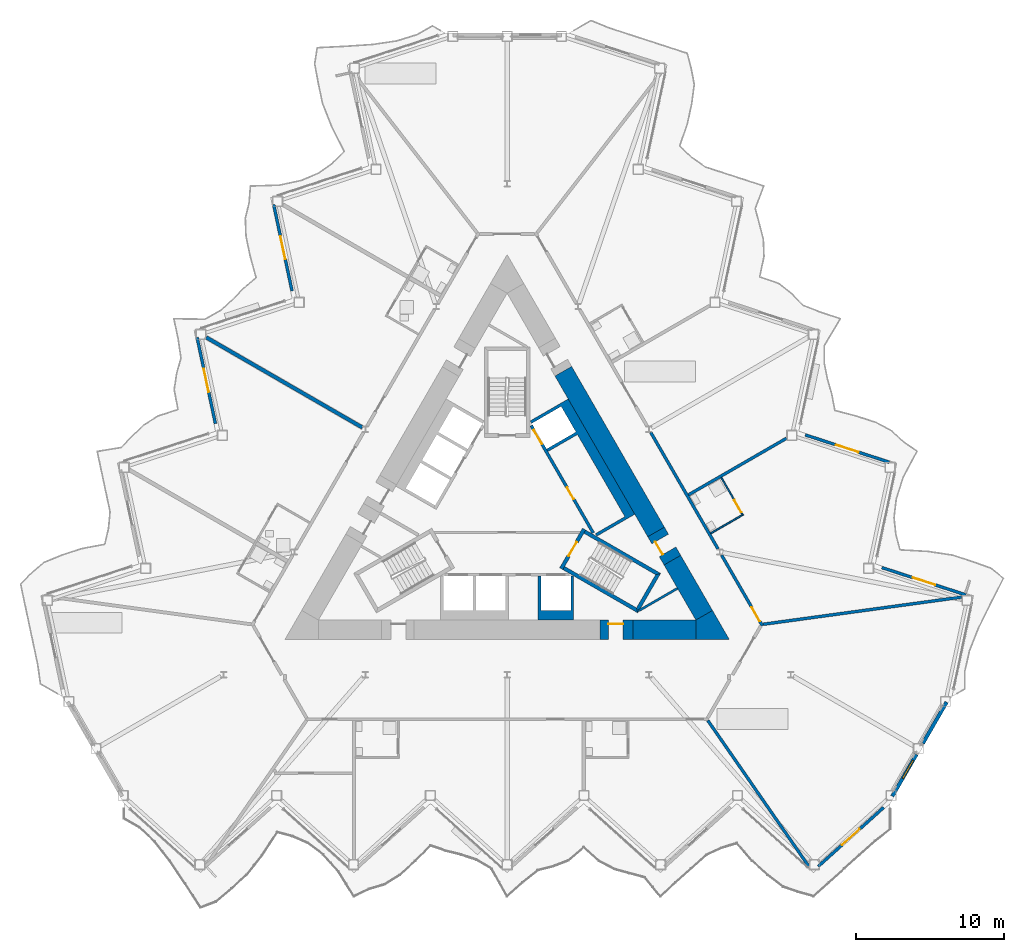
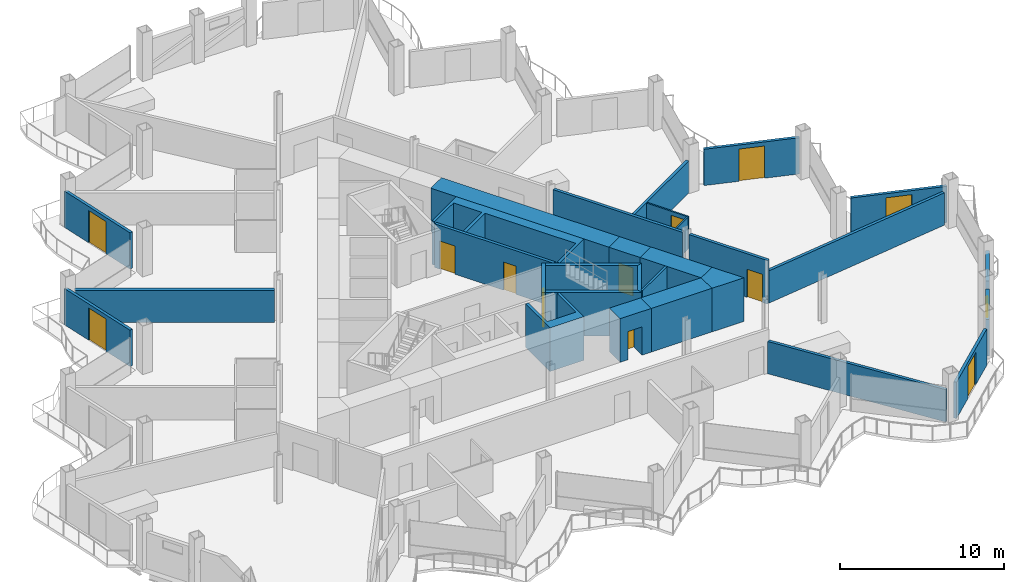
# One storey, part 13 of 23: 29 walls, 12 doors, 1 window, 13 openings.
"""IFC4 building model written with IfcOpenShell, lengths in metres."""

from ifc_helpers import new_model, si_unit, direction, frame, frame_2d, origin, place, context, subcontext, project, spatial, polyline, rectangle, outline, extrude, material, layer, layer_set, type_object, element, fill, save


model = new_model("IFC4")

# Units and contexts
model_context = context("Model", 3, precision=1e-05, world=origin(), true_north=direction((0.0, 1.0)))
body_context = subcontext(model_context, "Body", "Model", "MODEL_VIEW")
ifc_project = project(units=[si_unit("LENGTHUNIT", "METRE"), si_unit("AREAUNIT", "SQUARE_METRE"), si_unit("VOLUMEUNIT", "CUBIC_METRE"), si_unit("PLANEANGLEUNIT", "RADIAN"), si_unit("MASSUNIT", "GRAM", prefix="KILO")], contexts=[model_context])

# Site, building, storey
site_placement = place(None, origin())
site = spatial("IfcSite", under=ifc_project, at=site_placement, CompositionType="ELEMENT")
building_placement = place(site_placement, origin())
building = spatial("IfcBuilding", under=site, at=building_placement, Name="Cormorant Prow Tower", CompositionType="ELEMENT")
storey_placement = place(building_placement, frame((0.0, 0.0, 249.0)))
storey = spatial("IfcBuildingStorey", under=building, at=storey_placement, Name="L55", CompositionType="ELEMENT", Elevation=249.0)

# Walls
ifc_material_1 = material(Name="Gypsum board partition")
ifc_layer_1 = layer(ifc_material_1, 0.14990234375)
ifc_layer_set_1 = layer_set([ifc_layer_1], Name="Gypsum board partition")
wall_type_1 = type_object("IfcWallType", Name="Core partition 150", PredefinedType="PARTITIONING", material=ifc_layer_set_1)
wall_1_placement = place(storey_placement, frame((11.511474609375, -5.2177734375, 0.0), z_axis=(0.0, 0.0, 1.0), x_axis=(-0.866045649925, -0.499964931016, 0.0)))
element("IfcWall", 1, at=wall_1_placement, inside=storey, type_object=wall_type_1, Name="Service room partition", PredefinedType="PARTITIONING", context=body_context, shape_type="SweptSolid", body=[
    extrude(rectangle(XDim=2.992431640625, YDim=0.14990234375, at=frame_2d((1.49609375, 0.0))), origin(), (0.0, 0.0, 1.0), 3.25),
])
ifc_material_2 = material(Name="Concrete 8000 psi", Category="concrete")
ifc_layer_2 = layer(ifc_material_2, 1.300048828125)
ifc_layer_set_2 = layer_set([ifc_layer_2], Name="Concrete 8000 psi")
wall_type_2 = type_object("IfcWallType", Name="Core shear wall 1300", PredefinedType="SHEAR", material=ifc_layer_set_2)
wall_2_placement = place(storey_placement, frame((8.48828125, -8.01025390625, 0.0), z_axis=(0.0, 0.0, 1.0), x_axis=(1.0, 0.0, 0.0)))
element("IfcWall", 2, at=wall_2_placement, inside=storey, type_object=wall_type_2, Name="Core wall", PredefinedType="SHEAR", context=body_context, shape_type="SweptSolid", body=[
    extrude(rectangle(XDim=4.260009765625, YDim=1.300048828125, at=frame_2d((2.1298828125, 0.0))), origin(), (0.0, 0.0, 1.0), 3.25),
])
wall_3_placement = place(storey_placement, frame((10.0625, -1.408203125, 0.0), z_axis=(0.0, 0.0, 1.0), x_axis=(-0.500000545805, 0.866025088663, 0.0)))
element("IfcWall", 3, at=wall_3_placement, inside=storey, type_object=wall_type_2, Name="Core wall", PredefinedType="SHEAR", context=body_context, shape_type="SweptSolid", body=[
    extrude(rectangle(XDim=12.5390625, YDim=1.300048828125, at=frame_2d((6.26953125, 0.0))), origin(), (0.0, 0.0, 1.0), 3.25),
])
wall_4_placement = place(storey_placement, frame((13.311279296875, -7.035400390625, 0.0), z_axis=(0.0, 0.0, 1.0), x_axis=(-0.500012574659, 0.86601814368, 0.0)))
element("IfcWall", 4, at=wall_4_placement, inside=storey, type_object=wall_type_2, Name="Core wall", PredefinedType="SHEAR", context=body_context, shape_type="SweptSolid", body=[
    extrude(rectangle(XDim=4.2978515625, YDim=1.300048828125, at=frame_2d((2.14892578125, 0.0))), origin(), (0.0, 0.0, 1.0), 3.25),
])
wall_5_placement = place(storey_placement, origin())
element("IfcWall", 5, at=wall_5_placement, inside=storey, type_object=wall_type_2, Name="Core wall corner", PredefinedType="SHEAR", context=body_context, shape_type="SweptSolid", body=[
    extrude(outline(polyline([(12.748291015625, -8.660400390625), (12.748291015625, -7.3603515625), (13.874267578125, -6.710205078125), (15.0, -8.660400390625), (12.748291015625, -8.660400390625)])), origin(), (0.0, 0.0, 1.0), 3.25),
])

# Wall, opening, door
wall_6_placement = place(storey_placement, frame((6.2880859375, -8.01025390625, 0.0), z_axis=(0.0, 0.0, 1.0), x_axis=(1.0, 0.0, 0.0)))
wall_6 = element("IfcWall", 6, at=wall_6_placement, inside=storey, type_object=wall_type_2, Name="Core wall door panel", PredefinedType="SHEAR", context=body_context, shape_type="SweptSolid", body=[
    extrude(rectangle(XDim=2.2001953125, YDim=1.300048828125, at=frame_2d((1.10009765625, 0.0))), origin(), (0.0, 0.0, 1.0), 3.25),
])
opening_1_placement = place(wall_6_placement, frame((0.550048828125, 0.0, 0.0)))
opening_1 = element("IfcOpeningElement", 7, at=opening_1_placement, cuts=wall_6, Name="Opening L55-C13", PredefinedType="OPENING", context=body_context, shape_type="SweptSolid", body=[
    extrude(rectangle(XDim=1.0, YDim=2.10009765625, at=frame_2d((0.5, 1.050048828125))), frame((0.0, 0.659912109375, 0.0), z_axis=(0.0, -1.0, 0.0), x_axis=(1.0, 0.0, 0.0)), (0.0, 0.0, 1.0), 1.320068359375),
])
ifc_material_3 = material(Name="Painted steel", Category="steel")
door_type_1 = type_object("IfcDoorType", Name="Service door 1000x2100", OperationType="NOTDEFINED", PredefinedType="DOOR", material=ifc_material_3)
door_1_placement = place(opening_1_placement, origin())
door_1 = element("IfcDoor", 8, at=door_1_placement, inside=storey, type_object=door_type_1, Name="Core door, Telecom room", OperationType="SINGLE_SWING_RIGHT", OverallHeight=2.10009765625, OverallWidth=1.0, PredefinedType="DOOR", context=body_context, shape_type="SweptSolid", body=[
    extrude(rectangle(XDim=1.0, YDim=2.10009765625, at=frame_2d((0.5, 1.050048828125))), frame((0.0, 0.40478515625, 0.0), z_axis=(0.0, -1.0, 0.0), x_axis=(1.0, 0.0, 0.0)), (0.0, 0.0, 1.0), 0.050048828125),
])
fill(opening_1, door_1)

wall_7_placement = place(storey_placement, frame((11.16259765625, -3.3134765625, 0.0), z_axis=(0.0, 0.0, 1.0), x_axis=(-0.50002983664, 0.866008176907, 0.0)))
wall_7 = element("IfcWall", 9, at=wall_7_placement, inside=storey, type_object=wall_type_2, Name="Core wall door panel", PredefinedType="SHEAR", context=body_context, shape_type="SweptSolid", body=[
    extrude(rectangle(XDim=2.199951171875, YDim=1.300048828125, at=frame_2d((1.10009765625, 0.0))), origin(), (0.0, 0.0, 1.0), 3.25),
])
opening_2_placement = place(wall_7_placement, frame((0.64990234375, 0.0, 0.0)))
opening_2 = element("IfcOpeningElement", 10, at=opening_2_placement, cuts=wall_7, Name="Opening L55-C15", PredefinedType="OPENING", context=body_context, shape_type="SweptSolid", body=[
    extrude(rectangle(XDim=1.0, YDim=2.10009765625, at=frame_2d((0.5, 1.050048828125))), frame((0.0, 0.659912109375, 0.0), z_axis=(0.0, -1.0, 0.0), x_axis=(1.0, 0.0, 0.0)), (0.0, 0.0, 1.0), 1.320068359375),
])
door_2_placement = place(opening_2_placement, origin())
door_2 = element("IfcDoor", 11, at=door_2_placement, inside=storey, type_object=door_type_1, Name="Core door, Electrical room", OperationType="SINGLE_SWING_LEFT", OverallHeight=2.10009765625, OverallWidth=1.0, PredefinedType="DOOR", context=body_context, shape_type="SweptSolid", body=[
    extrude(rectangle(XDim=1.0, YDim=2.10009765625, at=frame_2d((0.5, 1.050048828125))), frame((0.0, 0.40478515625, 0.0), z_axis=(0.0, -1.0, 0.0), x_axis=(1.0, 0.0, 0.0)), (0.0, 0.0, 1.0), 0.050048828125),
])
fill(opening_2, door_2)

# Wall
ifc_material_4 = material(Name="Gypsum board corridor wall")
ifc_layer_3 = layer(ifc_material_4, 0.199951171875)
ifc_layer_set_3 = layer_set([ifc_layer_3], Name="Gypsum board corridor wall")
wall_type_3 = type_object("IfcWallType", Name="Corridor wall 200", PredefinedType="PARTITIONING", material=ifc_layer_set_3)
wall_8_placement = place(storey_placement, frame((9.699462890625, 5.320556640625, 0.0), z_axis=(0.0, 0.0, 1.0), x_axis=(0.49998193945, -0.866035830797, 0.0)))
element("IfcWall", 12, at=wall_8_placement, inside=storey, type_object=wall_type_3, Name="Corridor wall", PredefinedType="PARTITIONING", context=body_context, shape_type="SweptSolid", body=[
    extrude(rectangle(XDim=9.094482421875, YDim=0.199951171875, at=frame_2d((4.54736328125, 0.0))), origin(), (0.0, 0.0, 1.0), 3.25),
])

# Wall, opening, door
wall_9_placement = place(storey_placement, frame((14.488525390625, -2.974609375, 0.0), z_axis=(0.0, 0.0, 1.0), x_axis=(0.500017753321, -0.866015153657, 0.0)))
wall_9 = element("IfcWall", 13, at=wall_9_placement, inside=storey, type_object=wall_type_3, Name="Corridor wall", PredefinedType="PARTITIONING", context=body_context, shape_type="SweptSolid", body=[
    extrude(rectangle(XDim=5.510498046875, YDim=0.199951171875, at=frame_2d((2.75537109375, 0.0))), origin(), (0.0, 0.0, 1.0), 3.25),
])
opening_3_placement = place(wall_9_placement, frame((4.060302734375, 0.0, 0.0)))
opening_3 = element("IfcOpeningElement", 14, at=opening_3_placement, cuts=wall_9, Name="Opening L55-F08", PredefinedType="OPENING", context=body_context, shape_type="SweptSolid", body=[
    extrude(rectangle(XDim=1.10009765625, YDim=2.10009765625, at=frame_2d((0.550048828125, 1.050048828125))), frame((0.0, 0.10986328125, 0.0), z_axis=(0.0, -1.0, 0.0), x_axis=(1.0, 0.0, 0.0)), (0.0, 0.0, 1.0), 0.219970703125),
])
ifc_material_5 = material(Name="Timber door leaf", Category="wood")
door_type_2 = type_object("IfcDoorType", Name="Suite entrance door 1100x2100", OperationType="NOTDEFINED", PredefinedType="DOOR", material=ifc_material_5)
door_3_placement = place(opening_3_placement, origin())
door_3 = element("IfcDoor", 15, at=door_3_placement, inside=storey, type_object=door_type_2, Name="Executive suite bedroom door", OperationType="SINGLE_SWING_RIGHT", OverallHeight=2.10009765625, OverallWidth=1.10009765625, PredefinedType="DOOR", context=body_context, shape_type="SweptSolid", body=[
    extrude(rectangle(XDim=1.10009765625, YDim=2.10009765625, at=frame_2d((0.550048828125, 1.050048828125))), frame((0.0, 0.02490234375, 0.0), z_axis=(0.0, -1.0, 0.0), x_axis=(1.0, 0.0, 0.0)), (0.0, 0.0, 1.0), 0.050048828125),
])
fill(opening_3, door_3)

# Walls
ifc_material_6 = material(Name="Gypsum board demising wall")
ifc_layer_4 = layer(ifc_material_6, 0.199951171875)
ifc_layer_set_4 = layer_set([ifc_layer_4], Name="Gypsum board demising wall")
wall_type_4 = type_object("IfcWallType", Name="Demising wall 200", PredefinedType="PARTITIONING", material=ifc_layer_set_4)
wall_10_placement = place(storey_placement, frame((17.29296875, -7.646484375, 0.0), z_axis=(0.0, 0.0, 1.0), x_axis=(0.99075075074, 0.135694325259, 0.0)))
element("IfcWall", 16, at=wall_10_placement, inside=storey, type_object=wall_type_4, Name="Demising wall", PredefinedType="PARTITIONING", context=body_context, shape_type="SweptSolid", body=[
    extrude(rectangle(XDim=13.535400390625, YDim=0.199951171875, at=frame_2d((6.767578125, 0.0))), origin(), (0.0, 0.0, 1.0), 2.404296875),
])
wall_11_placement = place(storey_placement, frame((13.5556640625, -14.142578125, 0.0), z_axis=(0.0, 0.0, 1.0), x_axis=(0.56913494803, -0.82224413098, 0.0)))
element("IfcWall", 17, at=wall_11_placement, inside=storey, type_object=wall_type_4, Name="Demising wall", PredefinedType="PARTITIONING", context=body_context, shape_type="SweptSolid", body=[
    extrude(rectangle(XDim=12.013671875, YDim=0.199951171875, at=frame_2d((6.0068359375, 0.0))), origin(), (0.0, 0.0, 1.0), 2.404296875),
])
wall_12_placement = place(storey_placement, frame((12.2529296875, 1.097900390625, 0.0), z_axis=(0.0, 0.0, 1.0), x_axis=(0.866026077102, 0.499998833779, 0.0)))
element("IfcWall", 18, at=wall_12_placement, inside=storey, type_object=wall_type_4, Name="Demising wall", PredefinedType="PARTITIONING", context=body_context, shape_type="SweptSolid", body=[
    extrude(rectangle(XDim=7.646484375, YDim=0.199951171875, at=frame_2d((3.8232421875, 0.0))), origin(), (0.0, 0.0, 1.0), 2.404296875),
])

# Wall, opening, door
ifc_material_7 = material(Name="Gypsum board partition")
ifc_layer_5 = layer(ifc_material_7, 0.10009765625)
ifc_layer_set_5 = layer_set([ifc_layer_5], Name="Gypsum board partition")
wall_type_5 = type_object("IfcWallType", Name="Internal partition 100", PredefinedType="PARTITIONING", material=ifc_layer_set_5)
wall_13_placement = place(storey_placement, frame((14.468017578125, 2.26123046875, 0.0), z_axis=(0.0, 0.0, 1.0), x_axis=(0.500037662692, -0.866003658127, 0.0)))
wall_13 = element("IfcWall", 19, at=wall_13_placement, inside=storey, type_object=wall_type_5, Name="Internal partition", PredefinedType="PARTITIONING", context=body_context, shape_type="SweptSolid", body=[
    extrude(rectangle(XDim=2.949951171875, YDim=0.10009765625, at=frame_2d((1.47509765625, 0.0))), origin(), (0.0, 0.0, 1.0), 2.404296875),
])
opening_4_placement = place(wall_13_placement, frame((1.75, 0.0, 0.0)))
opening_4 = element("IfcOpeningElement", 20, at=opening_4_placement, cuts=wall_13, Name="Opening L55-F09", PredefinedType="OPENING", context=body_context, shape_type="SweptSolid", body=[
    extrude(rectangle(XDim=0.949951171875, YDim=2.10009765625, at=frame_2d((0.47509765625, 1.050048828125))), frame((0.0, 0.06005859375, 0.0), z_axis=(0.0, -1.0, 0.0), x_axis=(1.0, 0.0, 0.0)), (0.0, 0.0, 1.0), 0.1201171875),
])
ifc_material_8 = material(Name="Timber door leaf", Category="wood")
door_type_3 = type_object("IfcDoorType", Name="Bathroom door 950x2100", OperationType="NOTDEFINED", PredefinedType="DOOR", material=ifc_material_8)
door_4_placement = place(opening_4_placement, origin())
door_4 = element("IfcDoor", 21, at=door_4_placement, inside=storey, type_object=door_type_3, Name="Executive suite bedroom door", OperationType="SINGLE_SWING_RIGHT", OverallHeight=2.10009765625, OverallWidth=0.949951171875, PredefinedType="DOOR", context=body_context, shape_type="SweptSolid", body=[
    extrude(rectangle(XDim=0.949951171875, YDim=2.10009765625, at=frame_2d((0.47509765625, 1.050048828125))), frame((0.0, 0.02490234375, 0.0), z_axis=(0.0, -1.0, 0.0), x_axis=(1.0, 0.0, 0.0)), (0.0, 0.0, 1.0), 0.050048828125),
])
fill(opening_4, door_4)

# Wall
wall_14_placement = place(storey_placement, frame((13.7529296875, -1.500244140625, 0.0), z_axis=(0.0, 0.0, 1.0), x_axis=(0.866014668023, 0.500018594424, 0.0)))
element("IfcWall", 22, at=wall_14_placement, inside=storey, type_object=wall_type_5, Name="Internal partition", PredefinedType="PARTITIONING", context=body_context, shape_type="SweptSolid", body=[
    extrude(rectangle(XDim=2.4501953125, YDim=0.10009765625, at=frame_2d((1.22509765625, 0.0))), origin(), (0.0, 0.0, 1.0), 2.404296875),
])

# Wall, openings, doors
ifc_material_9 = material(Name="Concrete 5000 psi", Category="concrete")
ifc_layer_6 = layer(ifc_material_9, 0.199951171875)
ifc_layer_set_6 = layer_set([ifc_layer_6], Name="Concrete 5000 psi")
wall_type_6 = type_object("IfcWallType", Name="Lift lobby wall 200", PredefinedType="SOLIDWALL", material=ifc_layer_set_6)
wall_15_placement = place(storey_placement, frame((5.817138671875, -1.4755859375, 0.0), z_axis=(0.0, 0.0, 1.0), x_axis=(-0.500002616675, 0.866023893041, 0.0)))
wall_15 = element("IfcWall", 23, at=wall_15_placement, inside=storey, type_object=wall_type_6, Name="Lift lobby wall, ENE block", PredefinedType="SOLIDWALL", context=body_context, shape_type="SweptSolid", body=[
    extrude(rectangle(XDim=8.373046875, YDim=0.199951171875, at=frame_2d((4.1865234375, 0.0))), origin(), (0.0, 0.0, 1.0), 3.25),
])
opening_5_placement = place(wall_15_placement, frame((2.63671875, 0.0, 0.0)))
opening_5 = element("IfcOpeningElement", 24, at=opening_5_placement, cuts=wall_15, Name="Opening L55-C05", PredefinedType="OPENING", context=body_context, shape_type="SweptSolid", body=[
    extrude(rectangle(XDim=0.89990234375, YDim=2.10009765625, at=frame_2d((0.449951171875, 1.050048828125))), frame((0.0, 0.10986328125, 0.0), z_axis=(0.0, -1.0, 0.0), x_axis=(1.0, 0.0, 0.0)), (0.0, 0.0, 1.0), 0.219970703125),
])
opening_6_placement = place(wall_15_placement, frame((6.9365234375, 0.0, 0.0)))
opening_6 = element("IfcOpeningElement", 25, at=opening_6_placement, cuts=wall_15, Name="Opening L55-C06", PredefinedType="OPENING", context=body_context, shape_type="SweptSolid", body=[
    extrude(rectangle(XDim=1.10009765625, YDim=2.10009765625, at=frame_2d((0.550048828125, 1.050048828125))), frame((0.0, 0.10986328125, 0.0), z_axis=(0.0, -1.0, 0.0), x_axis=(1.0, 0.0, 0.0)), (0.0, 0.0, 1.0), 0.219970703125),
])
ifc_material_10 = material(Name="Painted steel", Category="steel")
door_type_4 = type_object("IfcDoorType", Name="Lift landing door 1100x2100", OperationType="SLIDING_TO_LEFT", PredefinedType="DOOR", material=ifc_material_10)
door_5_placement = place(opening_6_placement, origin())
door_5 = element("IfcDoor", 26, at=door_5_placement, inside=storey, type_object=door_type_4, Name="Landing door MR1", OperationType="SLIDING_TO_LEFT", OverallHeight=2.10009765625, OverallWidth=1.10009765625, PredefinedType="DOOR", context=body_context, shape_type="SweptSolid", body=[
    extrude(rectangle(XDim=1.10009765625, YDim=2.10009765625, at=frame_2d((0.550048828125, 1.050048828125))), frame((0.0, 0.02490234375, 0.0), z_axis=(0.0, -1.0, 0.0), x_axis=(1.0, 0.0, 0.0)), (0.0, 0.0, 1.0), 0.050048828125),
])
fill(opening_6, door_5)
ifc_material_11 = material(Name="Painted steel", Category="steel")
door_type_5 = type_object("IfcDoorType", Name="Service door 900x2100", OperationType="NOTDEFINED", PredefinedType="DOOR", material=ifc_material_11)
door_6_placement = place(opening_5_placement, origin())
door_6 = element("IfcDoor", 27, at=door_6_placement, inside=storey, type_object=door_type_5, Name="Service door, Housekeeping store", OperationType="SINGLE_SWING_RIGHT", OverallHeight=2.10009765625, OverallWidth=0.89990234375, PredefinedType="DOOR", context=body_context, shape_type="SweptSolid", body=[
    extrude(rectangle(XDim=0.89990234375, YDim=2.10009765625, at=frame_2d((0.449951171875, 1.050048828125))), frame((0.0, 0.02490234375, 0.0), z_axis=(0.0, -1.0, 0.0), x_axis=(1.0, 0.0, 0.0)), (0.0, 0.0, 1.0), 0.050048828125),
])
fill(opening_5, door_6)

# Walls
ifc_material_12 = material(Name="Concrete 8000 psi", Category="concrete")
ifc_layer_7 = layer(ifc_material_12, 0.199951171875)
ifc_layer_set_7 = layer_set([ifc_layer_7], Name="Concrete 8000 psi")
wall_type_7 = type_object("IfcWallType", Name="Lift shaft wall 200", PredefinedType="SHEAR", material=ifc_layer_set_7)
wall_16_placement = place(storey_placement, origin())
element("IfcWall", 28, at=wall_16_placement, inside=storey, type_object=wall_type_7, Name="Lift shaft walls, S block", PredefinedType="SHEAR", context=body_context, shape_type="SweptSolid", body=[
    extrude(outline(polyline([(2.10009765625, -7.3603515625), (2.10009765625, -4.39990234375), (2.300048828125, -4.39990234375), (2.300048828125, -6.699951171875), (4.300048828125, -6.699951171875), (4.300048828125, -4.39990234375), (4.5, -4.39990234375), (4.5, -7.3603515625), (2.10009765625, -7.3603515625)])), origin(), (0.0, 0.0, 1.0), 3.25),
])
wall_17_placement = place(storey_placement, origin())
element("IfcWall", 29, at=wall_17_placement, inside=storey, type_object=wall_type_7, Name="Lift shaft walls, ENE block", PredefinedType="SHEAR", context=body_context, shape_type="SweptSolid", body=[
    extrude(outline(polyline([(4.124267578125, 7.5771484375), (8.624267578125, -0.217041015625), (8.230712890625, -0.444091796875), (6.060546875, -1.697021484375), (5.96044921875, -1.52392578125), (7.952392578125, -0.373779296875), (4.75244140625, 5.168701171875), (2.760498046875, 4.018798828125), (2.660400390625, 4.19189453125), (4.65234375, 5.341796875), (3.65234375, 7.073974609375), (1.660400390625, 5.923828125), (1.560546875, 6.09716796875), (3.730712890625, 7.35009765625), (4.124267578125, 7.5771484375)])), origin(), (0.0, 0.0, 1.0), 3.25),
])
ifc_material_13 = material(Name="Concrete 8000 psi", Category="concrete")
ifc_layer_8 = layer(ifc_material_13, 0.25)
ifc_layer_set_8 = layer_set([ifc_layer_8], Name="Concrete 8000 psi")
wall_type_8 = type_object("IfcWallType", Name="Stair wall 250", PredefinedType="SHEAR", material=ifc_layer_set_8)
wall_18_placement = place(storey_placement, origin())
element("IfcWall", 30, at=wall_18_placement, inside=storey, type_object=wall_type_8, Name="Stair ST2 enclosure wall (flank)", PredefinedType="SHEAR", context=body_context, shape_type="SweptSolid", body=[
    extrude(outline(polyline([(3.76318359375, -3.95556640625), (8.82958984375, -6.880615234375), (8.738037109375, -6.5390625), (3.88818359375, -3.739013671875), (3.76318359375, -3.95556640625)])), origin(), (0.0, 0.0, 1.0), 3.25),
])
wall_19_placement = place(storey_placement, origin())
element("IfcWall", 31, at=wall_19_placement, inside=storey, type_object=wall_type_8, Name="Stair ST2 enclosure wall (end)", PredefinedType="SHEAR", context=body_context, shape_type="SweptSolid", body=[
    extrude(outline(polyline([(8.82958984375, -6.880615234375), (10.37353515625, -4.206298828125), (10.031982421875, -4.2978515625), (8.738037109375, -6.5390625), (8.82958984375, -6.880615234375)])), origin(), (0.0, 0.0, 1.0), 3.25),
])
wall_20_placement = place(storey_placement, origin())
element("IfcWall", 32, at=wall_20_placement, inside=storey, type_object=wall_type_8, Name="Stair ST2 enclosure wall (flank)", PredefinedType="SHEAR", context=body_context, shape_type="SweptSolid", body=[
    extrude(outline(polyline([(10.031982421875, -4.2978515625), (10.37353515625, -4.206298828125), (5.30712890625, -1.28125), (5.18212890625, -1.497802734375), (10.031982421875, -4.2978515625)])), origin(), (0.0, 0.0, 1.0), 3.25),
])

# Wall, opening, door
wall_21_placement = place(storey_placement, frame((3.655029296875, -3.89306640625, 0.0), z_axis=(0.0, 0.0, 1.0), x_axis=(0.499982516597, 0.866035497597, 0.0)))
wall_21 = element("IfcWall", 33, at=wall_21_placement, inside=storey, type_object=wall_type_8, Name="Stair ST2 door wall", PredefinedType="SHEAR", context=body_context, shape_type="SweptSolid", body=[
    extrude(rectangle(XDim=3.087890625, YDim=0.25, at=frame_2d((1.5439453125, 0.0))), origin(), (0.0, 0.0, 1.0), 3.25),
])
opening_7_placement = place(wall_21_placement, frame((0.993896484375, 0.0, 0.0)))
opening_7 = element("IfcOpeningElement", 34, at=opening_7_placement, cuts=wall_21, Name="Opening L55-C11", PredefinedType="OPENING", context=body_context, shape_type="SweptSolid", body=[
    extrude(rectangle(XDim=1.10009765625, YDim=2.10009765625, at=frame_2d((0.550048828125, 1.050048828125))), frame((0.0, 0.135009765625, 0.0), z_axis=(0.0, -1.0, 0.0), x_axis=(1.0, 0.0, 0.0)), (0.0, 0.0, 1.0), 0.27001953125),
])
ifc_material_14 = material(Name="Painted steel", Category="steel")
door_type_6 = type_object("IfcDoorType", Name="Stair door 1100x2100", OperationType="NOTDEFINED", PredefinedType="DOOR", material=ifc_material_14)
door_7_placement = place(opening_7_placement, origin())
door_7 = element("IfcDoor", 35, at=door_7_placement, inside=storey, type_object=door_type_6, Name="Stair ST2 door", OperationType="SINGLE_SWING_RIGHT", OverallHeight=2.10009765625, OverallWidth=1.10009765625, PredefinedType="DOOR", context=body_context, shape_type="SweptSolid", body=[
    extrude(rectangle(XDim=1.10009765625, YDim=2.10009765625, at=frame_2d((0.550048828125, 1.050048828125))), frame((0.0, 0.02490234375, 0.0), z_axis=(0.0, -1.0, 0.0), x_axis=(1.0, 0.0, 0.0)), (0.0, 0.0, 1.0), 0.050048828125),
])
fill(opening_7, door_7)

# Wall
ifc_material_15 = material(Name="Acoustic gypsum party wall")
ifc_layer_9 = layer(ifc_material_15, 0.25)
ifc_layer_set_9 = layer_set([ifc_layer_9], Name="Acoustic gypsum party wall")
wall_type_9 = type_object("IfcWallType", Name="Suite party wall 250", PredefinedType="PARTITIONING", material=ifc_layer_set_9)
wall_22_placement = place(storey_placement, frame((-20.32666015625, 11.735595703125, 0.0), z_axis=(0.0, 0.0, 1.0), x_axis=(0.866024549986, -0.50000147882, 0.0)))
element("IfcWall", 36, at=wall_22_placement, inside=storey, type_object=wall_type_9, Name="Suite party wall", PredefinedType="PARTITIONING", context=body_context, shape_type="SweptSolid", body=[
    extrude(rectangle(XDim=12.1689453125, YDim=0.25, at=frame_2d((6.08447265625, 0.0))), origin(), (0.0, 0.0, 1.0), 2.404296875),
])

# Wall, opening, window
ifc_material_16 = material(Name="Terracotta", Category="masonry")
ifc_layer_10 = layer(ifc_material_16, 0.25)
ifc_layer_set_10 = layer_set([ifc_layer_10], Name="Terracotta")
wall_type_10 = type_object("IfcWallType", Name="Terracotta bay wall 250", PredefinedType="SOLIDWALL", material=ifc_layer_set_10)
wall_23_placement = place(storey_placement, frame((26.020751953125, -19.26171875, 0.0), z_axis=(0.0, 0.0, 1.0), x_axis=(0.500026945261, 0.866009846372, 0.0)))
wall_23 = element("IfcWall", 37, at=wall_23_placement, inside=storey, type_object=wall_type_10, Name="Terracotta bay wall ESE00", PredefinedType="SOLIDWALL", context=body_context, shape_type="SweptSolid", body=[
    extrude(rectangle(XDim=3.261962890625, YDim=0.25, at=frame_2d((1.630859375, 0.0))), origin(), (0.0, 0.0, 1.0), 2.700927734375),
])
opening_8_placement = place(wall_23_placement, frame((1.39990234375, 0.0, 1.89990234375)))
opening_8 = element("IfcOpeningElement", 38, at=opening_8_placement, cuts=wall_23, Name="Opening WN6", PredefinedType="OPENING", context=body_context, shape_type="SweptSolid", body=[
    extrude(rectangle(XDim=1.39990234375, YDim=0.60009765625, at=frame_2d((0.699951171875, 0.300048828125))), frame((0.0, 0.135009765625, 0.0), z_axis=(0.0, -1.0, 0.0), x_axis=(1.0, 0.0, 0.0)), (0.0, 0.0, 1.0), 0.27001953125),
])
ifc_material_17 = material(Name="Aluminium 6063-T6", Category="aluminium")
window_type = type_object("IfcWindowType", Name="Corner bay window 1400x600", PartitioningType="SINGLE_PANEL", PredefinedType="WINDOW", material=ifc_material_17)
window_placement = place(opening_8_placement, origin())
window = element("IfcWindow", 39, at=window_placement, inside=storey, type_object=window_type, Name="Corner bay window ESE00", OverallHeight=0.60009765625, OverallWidth=1.39990234375, PartitioningType="SINGLE_PANEL", PredefinedType="WINDOW", context=body_context, shape_type="SweptSolid", body=[
    extrude(rectangle(XDim=1.39990234375, YDim=0.60009765625, at=frame_2d((0.699951171875, 0.300048828125))), frame((0.0, 0.030029296875, 0.0), z_axis=(0.0, -1.0, 0.0), x_axis=(1.0, 0.0, 0.0)), (0.0, 0.0, 1.0), 0.06005859375),
])
fill(opening_8, window)

# Wall
wall_24_placement = place(storey_placement, frame((28.0849609375, -15.686767578125, 0.0), z_axis=(0.0, 0.0, 1.0), x_axis=(0.499987708133, 0.866032500381, 0.0)))
element("IfcWall", 40, at=wall_24_placement, inside=storey, type_object=wall_type_10, Name="Terracotta bay wall ESE01", PredefinedType="SOLIDWALL", context=body_context, shape_type="SweptSolid", body=[
    extrude(rectangle(XDim=3.21337890625, YDim=0.25, at=frame_2d((1.606689453125, 0.0))), origin(), (0.0, 0.0, 1.0), 2.700927734375),
])

# Wall, opening, door
ifc_material_18 = material(Name="Terracotta", Category="masonry")
ifc_layer_11 = layer(ifc_material_18, 0.199951171875)
ifc_layer_set_11 = layer_set([ifc_layer_11], Name="Terracotta")
wall_type_11 = type_object("IfcWallType", Name="Terracotta jamb wall 200", PredefinedType="SOLIDWALL", material=ifc_layer_set_11)
wall_25_placement = place(storey_placement, frame((21.00830078125, -24.0087890625, 0.0), z_axis=(0.0, 0.0, 1.0), x_axis=(0.743133280699, 0.669143427912, 0.0)))
wall_25 = element("IfcWall", 41, at=wall_25_placement, inside=storey, type_object=wall_type_11, Name="Terracotta jamb wall S09", PredefinedType="SOLIDWALL", context=body_context, shape_type="SweptSolid", body=[
    extrude(rectangle(XDim=5.96240234375, YDim=0.199951171875, at=frame_2d((2.981201171875, 0.0))), origin(), (0.0, 0.0, 1.0), 2.700927734375),
])
opening_9_placement = place(wall_25_placement, frame((2.181396484375, 0.0, 0.0)))
opening_9 = element("IfcOpeningElement", 42, at=opening_9_placement, cuts=wall_25, Name="Opening ED55.05", PredefinedType="OPENING", context=body_context, shape_type="SweptSolid", body=[
    extrude(rectangle(XDim=1.60009765625, YDim=2.39990234375, at=frame_2d((0.800048828125, 1.199951171875))), frame((0.0, 0.10986328125, 0.0), z_axis=(0.0, -1.0, 0.0), x_axis=(1.0, 0.0, 0.0)), (0.0, 0.0, 1.0), 0.219970703125),
])
ifc_material_19 = material(Name="Aluminium 6063-T6", Category="aluminium")
door_type_7 = type_object("IfcDoorType", Name="Balcony door 1600x2400", OperationType="DOUBLE_DOOR_SINGLE_SWING", PredefinedType="DOOR", material=ifc_material_19)
door_8_placement = place(opening_9_placement, origin())
door_8 = element("IfcDoor", 43, at=door_8_placement, inside=storey, type_object=door_type_7, Name="Balcony door S09 ED55.05", OperationType="DOUBLE_DOOR_SINGLE_SWING", OverallHeight=2.39990234375, OverallWidth=1.60009765625, PredefinedType="DOOR", context=body_context, shape_type="SweptSolid", body=[
    extrude(rectangle(XDim=1.60009765625, YDim=2.39990234375, at=frame_2d((0.800048828125, 1.199951171875))), frame((0.0, 0.02490234375, 0.0), z_axis=(0.0, -1.0, 0.0), x_axis=(1.0, 0.0, 0.0)), (0.0, 0.0, 1.0), 0.050048828125),
])
fill(opening_9, door_8)

wall_26_placement = place(storey_placement, frame((30.990966796875, -5.66015625, 0.0), z_axis=(0.0, 0.0, 1.0), x_axis=(-0.951055430656, 0.309020335608, 0.0)))
wall_26 = element("IfcWall", 44, at=wall_26_placement, inside=storey, type_object=wall_type_11, Name="Terracotta jamb wall ENE01", PredefinedType="SOLIDWALL", context=body_context, shape_type="SweptSolid", body=[
    extrude(rectangle(XDim=5.96240234375, YDim=0.199951171875, at=frame_2d((2.981201171875, 0.0))), origin(), (0.0, 0.0, 1.0), 2.700927734375),
])
opening_10_placement = place(wall_26_placement, frame((2.181396484375, 0.0, 0.0)))
opening_10 = element("IfcOpeningElement", 45, at=opening_10_placement, cuts=wall_26, Name="Opening ED55.06", PredefinedType="OPENING", context=body_context, shape_type="SweptSolid", body=[
    extrude(rectangle(XDim=1.60009765625, YDim=2.39990234375, at=frame_2d((0.800048828125, 1.199951171875))), frame((0.0, 0.10986328125, 0.0), z_axis=(0.0, -1.0, 0.0), x_axis=(1.0, 0.0, 0.0)), (0.0, 0.0, 1.0), 0.219970703125),
])
door_9_placement = place(opening_10_placement, origin())
door_9 = element("IfcDoor", 46, at=door_9_placement, inside=storey, type_object=door_type_7, Name="Balcony door ENE01 ED55.06", OperationType="DOUBLE_DOOR_SINGLE_SWING", OverallHeight=2.39990234375, OverallWidth=1.60009765625, PredefinedType="DOOR", context=body_context, shape_type="SweptSolid", body=[
    extrude(rectangle(XDim=1.60009765625, YDim=2.39990234375, at=frame_2d((0.800048828125, 1.199951171875))), frame((0.0, 0.02490234375, 0.0), z_axis=(0.0, -1.0, 0.0), x_axis=(1.0, 0.0, 0.0)), (0.0, 0.0, 1.0), 0.050048828125),
])
fill(opening_10, door_9)

wall_27_placement = place(storey_placement, frame((25.815185546875, 3.304443359375, 0.0), z_axis=(0.0, 0.0, 1.0), x_axis=(-0.951055430656, 0.309020335608, 0.0)))
wall_27 = element("IfcWall", 47, at=wall_27_placement, inside=storey, type_object=wall_type_11, Name="Terracotta jamb wall ENE03", PredefinedType="SOLIDWALL", context=body_context, shape_type="SweptSolid", body=[
    extrude(rectangle(XDim=5.96240234375, YDim=0.199951171875, at=frame_2d((2.981201171875, 0.0))), origin(), (0.0, 0.0, 1.0), 2.700927734375),
])
opening_11_placement = place(wall_27_placement, frame((2.181396484375, 0.0, 0.0)))
opening_11 = element("IfcOpeningElement", 48, at=opening_11_placement, cuts=wall_27, Name="Opening ED55.07", PredefinedType="OPENING", context=body_context, shape_type="SweptSolid", body=[
    extrude(rectangle(XDim=1.60009765625, YDim=2.39990234375, at=frame_2d((0.800048828125, 1.199951171875))), frame((0.0, 0.10986328125, 0.0), z_axis=(0.0, -1.0, 0.0), x_axis=(1.0, 0.0, 0.0)), (0.0, 0.0, 1.0), 0.219970703125),
])
door_10_placement = place(opening_11_placement, origin())
door_10 = element("IfcDoor", 49, at=door_10_placement, inside=storey, type_object=door_type_7, Name="Balcony door ENE03 ED55.07", OperationType="DOUBLE_DOOR_SINGLE_SWING", OverallHeight=2.39990234375, OverallWidth=1.60009765625, PredefinedType="DOOR", context=body_context, shape_type="SweptSolid", body=[
    extrude(rectangle(XDim=1.60009765625, YDim=2.39990234375, at=frame_2d((0.800048828125, 1.199951171875))), frame((0.0, 0.02490234375, 0.0), z_axis=(0.0, -1.0, 0.0), x_axis=(1.0, 0.0, 0.0)), (0.0, 0.0, 1.0), 0.050048828125),
])
fill(opening_11, door_10)

wall_28_placement = place(storey_placement, frame((-15.769287109375, 20.70458984375, 0.0), z_axis=(0.0, 0.0, 1.0), x_axis=(0.207920947907, -0.978145633033, 0.0)))
wall_28 = element("IfcWall", 50, at=wall_28_placement, inside=storey, type_object=wall_type_11, Name="Terracotta jamb wall WNW03", PredefinedType="SOLIDWALL", context=body_context, shape_type="SweptSolid", body=[
    extrude(rectangle(XDim=5.962646484375, YDim=0.199951171875, at=frame_2d((2.9814453125, 0.0))), origin(), (0.0, 0.0, 1.0), 2.700927734375),
])
opening_12_placement = place(wall_28_placement, frame((2.181396484375, 0.0, 0.0)))
opening_12 = element("IfcOpeningElement", 51, at=opening_12_placement, cuts=wall_28, Name="Opening ED55.12", PredefinedType="OPENING", context=body_context, shape_type="SweptSolid", body=[
    extrude(rectangle(XDim=1.60009765625, YDim=2.39990234375, at=frame_2d((0.800048828125, 1.199951171875))), frame((0.0, 0.10986328125, 0.0), z_axis=(0.0, -1.0, 0.0), x_axis=(1.0, 0.0, 0.0)), (0.0, 0.0, 1.0), 0.219970703125),
])
door_11_placement = place(opening_12_placement, origin())
door_11 = element("IfcDoor", 52, at=door_11_placement, inside=storey, type_object=door_type_7, Name="Balcony door WNW03 ED55.12", OperationType="DOUBLE_DOOR_SINGLE_SWING", OverallHeight=2.39990234375, OverallWidth=1.60009765625, PredefinedType="DOOR", context=body_context, shape_type="SweptSolid", body=[
    extrude(rectangle(XDim=1.60009765625, YDim=2.39990234375, at=frame_2d((0.800048828125, 1.199951171875))), frame((0.0, 0.02490234375, 0.0), z_axis=(0.0, -1.0, 0.0), x_axis=(1.0, 0.0, 0.0)), (0.0, 0.0, 1.0), 0.050048828125),
])
fill(opening_12, door_11)

wall_29_placement = place(storey_placement, frame((-20.945068359375, 11.739990234375, 0.0), z_axis=(0.0, 0.0, 1.0), x_axis=(0.207920947907, -0.978145633033, 0.0)))
wall_29 = element("IfcWall", 53, at=wall_29_placement, inside=storey, type_object=wall_type_11, Name="Terracotta jamb wall WNW05", PredefinedType="SOLIDWALL", context=body_context, shape_type="SweptSolid", body=[
    extrude(rectangle(XDim=5.962646484375, YDim=0.199951171875, at=frame_2d((2.9814453125, 0.0))), origin(), (0.0, 0.0, 1.0), 2.700927734375),
])
opening_13_placement = place(wall_29_placement, frame((2.181396484375, 0.0, 0.0)))
opening_13 = element("IfcOpeningElement", 54, at=opening_13_placement, cuts=wall_29, Name="Opening ED55.13", PredefinedType="OPENING", context=body_context, shape_type="SweptSolid", body=[
    extrude(rectangle(XDim=1.60009765625, YDim=2.39990234375, at=frame_2d((0.800048828125, 1.199951171875))), frame((0.0, 0.10986328125, 0.0), z_axis=(0.0, -1.0, 0.0), x_axis=(1.0, 0.0, 0.0)), (0.0, 0.0, 1.0), 0.219970703125),
])
door_12_placement = place(opening_13_placement, origin())
door_12 = element("IfcDoor", 55, at=door_12_placement, inside=storey, type_object=door_type_7, Name="Balcony door WNW05 ED55.13", OperationType="DOUBLE_DOOR_SINGLE_SWING", OverallHeight=2.39990234375, OverallWidth=1.60009765625, PredefinedType="DOOR", context=body_context, shape_type="SweptSolid", body=[
    extrude(rectangle(XDim=1.60009765625, YDim=2.39990234375, at=frame_2d((0.800048828125, 1.199951171875))), frame((0.0, 0.02490234375, 0.0), z_axis=(0.0, -1.0, 0.0), x_axis=(1.0, 0.0, 0.0)), (0.0, 0.0, 1.0), 0.050048828125),
])
fill(opening_13, door_12)

save(model, "model.ifc")
